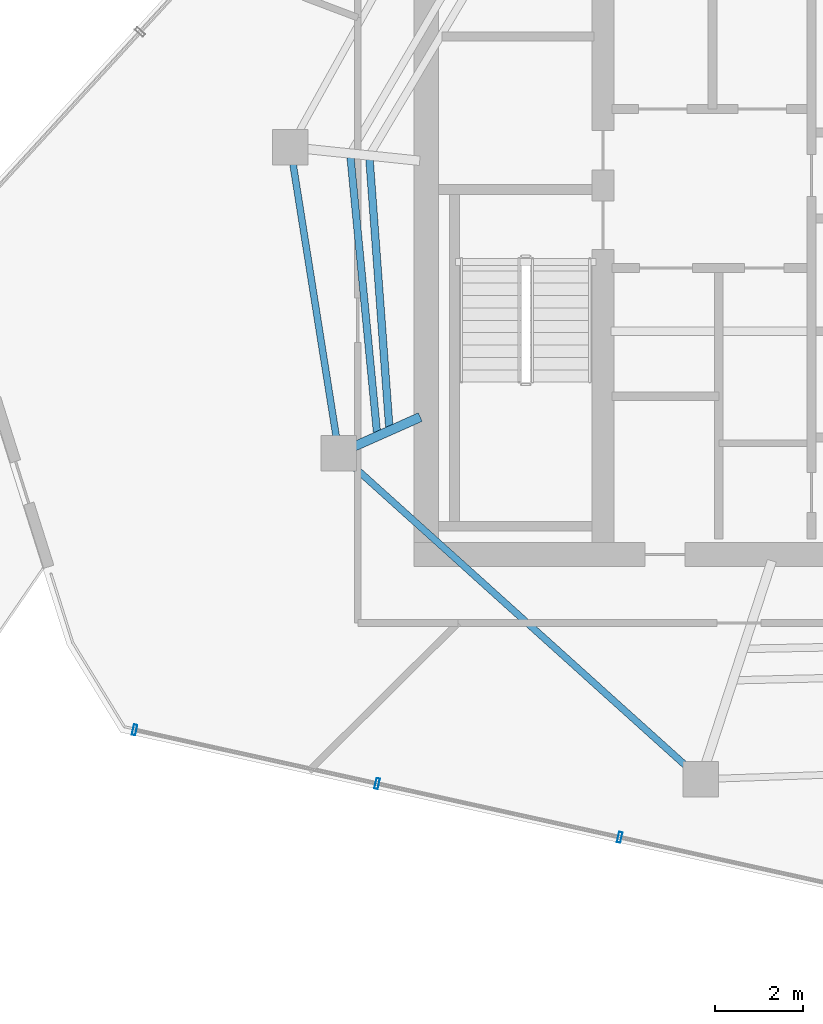
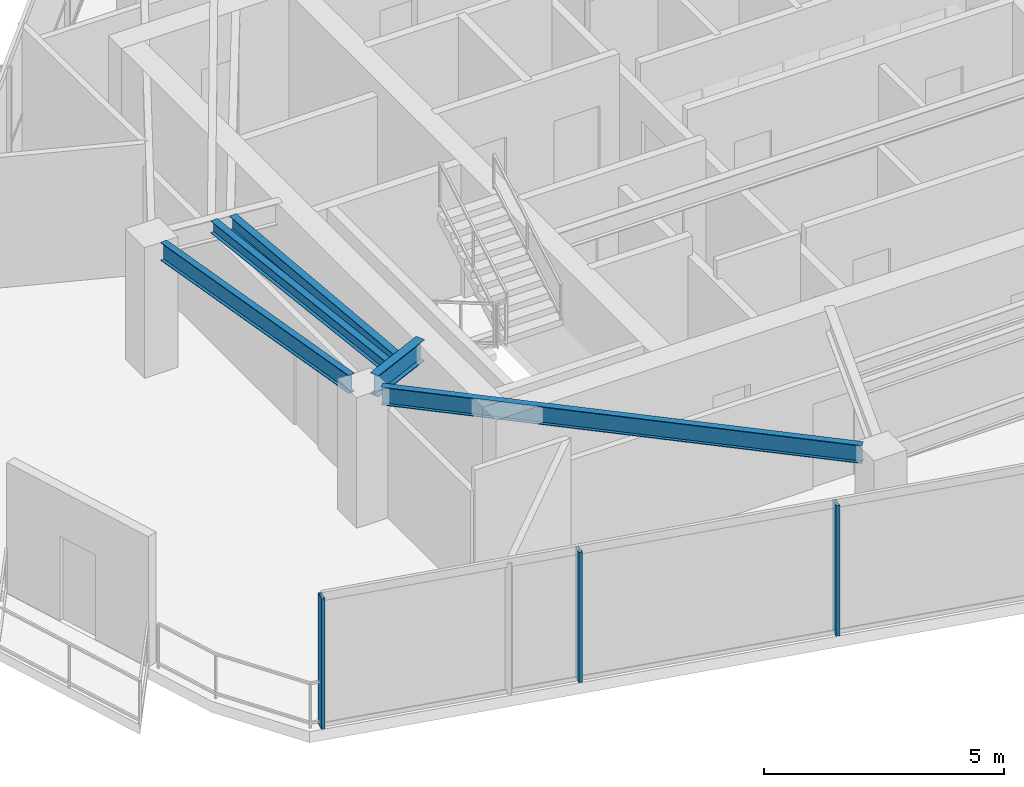
# One storey, part 2 of 18: 5 beams, 3 members, 1 element without a shape of its own.
"""IFC4 building model written with IfcOpenShell, lengths in metres."""

from ifc_helpers import new_model, si_unit, direction, frame, origin, origin_2d, place, context, subcontext, project, spatial, hollow_rectangle, i_section, extrude, material, layer, layer_set, material_profile, profile_set, type_object, element, aggregate, save


model = new_model("IFC4")

# Units and contexts
model_context = context("Model", 3, precision=1e-05, world=origin(), true_north=direction((0.0, 1.0)))
body_context = subcontext(model_context, "Body", "Model", "MODEL_VIEW")
ifc_project = project(units=[si_unit("LENGTHUNIT", "METRE"), si_unit("AREAUNIT", "SQUARE_METRE"), si_unit("VOLUMEUNIT", "CUBIC_METRE"), si_unit("PLANEANGLEUNIT", "RADIAN"), si_unit("MASSUNIT", "GRAM", prefix="KILO")], contexts=[model_context])

# Site, building, storey
site_placement = place(None, origin())
site = spatial("IfcSite", under=ifc_project, at=site_placement, CompositionType="ELEMENT")
building_placement = place(site_placement, origin())
building = spatial("IfcBuilding", under=site, at=building_placement, Name="Qarnah Convention Tower", CompositionType="ELEMENT")
storey_placement = place(building_placement, frame((0.0, 0.0, 246.300048828125)))
storey = spatial("IfcBuildingStorey", under=building, at=storey_placement, Name="L66", CompositionType="ELEMENT", Elevation=246.300048828125)

# Beams
ifc_material_1 = material(Name="Structural steel S355JR", Category="steel")
ifc_material_profile_1 = material_profile(ifc_material_1, i_section(OverallWidth=0.166015625, OverallDepth=0.31201171875, WebThickness=0.007080078125, FlangeThickness=0.010986328125, at=origin_2d()), Name="W310X45")
ifc_profile_set_1 = profile_set([ifc_material_profile_1], Name="Structural steel S355JR")
beam_type_1 = type_object("IfcBeamType", Name="BM-JST-W310", PredefinedType="JOIST", material=ifc_profile_set_1)
beam_1_placement = place(storey_placement, frame((25.0859375, 27.583984375, 3.1640625), z_axis=(0.095613342709, -0.995418549504, 0.0), x_axis=(0.995418549504, 0.095613342709, 0.0)))
element("IfcBeam", 1, at=beam_1_placement, inside=storey, type_object=beam_type_1, Name="L66 joist BM-L66-SJST-05", PredefinedType="JOIST", context=body_context, shape_type="SweptSolid", body=[
    extrude(i_section(OverallWidth=0.166015625, OverallDepth=0.31201171875, WebThickness=0.007080078125, FlangeThickness=0.010986328125, at=origin_2d()), origin(), (0.0, 0.0, 1.0), 6.24560546875),
])
ifc_material_profile_2 = material_profile(ifc_material_1, i_section(OverallWidth=0.172119140625, OverallDepth=0.35595703125, WebThickness=0.007080078125, FlangeThickness=0.011962890625, at=origin_2d()), Name="W360X51")
ifc_profile_set_2 = profile_set([ifc_material_profile_2], Name="Structural steel S355JR")
beam_type_2 = type_object("IfcBeamType", Name="BM-JST-W360", PredefinedType="JOIST", material=ifc_profile_set_2)
beam_2_placement = place(storey_placement, frame((25.514892578125, 27.5390625, 3.141845703125), z_axis=(0.073698218425, -0.997280588702, 0.0), x_axis=(0.997280588702, 0.073698218425, 0.0)))
element("IfcBeam", 2, at=beam_2_placement, inside=storey, type_object=beam_type_2, Name="L66 joist BM-L66-IJST-05", PredefinedType="JOIST", context=body_context, shape_type="SweptSolid", body=[
    extrude(i_section(OverallWidth=0.172119140625, OverallDepth=0.35595703125, WebThickness=0.007080078125, FlangeThickness=0.011962890625, at=origin_2d()), origin(), (0.0, 0.0, 1.0), 6.065673828125),
])
ifc_material_profile_3 = material_profile(ifc_material_1, i_section(OverallWidth=0.2119140625, OverallDepth=0.5400390625, WebThickness=0.011962890625, FlangeThickness=0.01904296875, at=origin_2d()), Name="W530X109")
ifc_profile_set_3 = profile_set([ifc_material_profile_3], Name="Structural steel S355JR")
beam_type_3 = type_object("IfcBeamType", Name="BM-RAD-W530A", PredefinedType="BEAM", material=ifc_profile_set_3)
beam_3_placement = place(storey_placement, frame((26.6630859375, 21.708984375, 3.050048828125), z_axis=(-0.913688456795, -0.406415309652, 0.0), x_axis=(0.406415309652, -0.913688456795, 0.0)))
element("IfcBeam", 3, at=beam_3_placement, inside=storey, type_object=beam_type_3, Name="L66 beam BM-L66-RAD-06", PredefinedType="BEAM", context=body_context, shape_type="SweptSolid", body=[
    extrude(i_section(OverallWidth=0.2119140625, OverallDepth=0.5400390625, WebThickness=0.011962890625, FlangeThickness=0.01904296875, at=origin_2d()), origin(), (0.0, 0.0, 1.0), 1.636474609375),
])
ifc_material_profile_4 = material_profile(ifc_material_1, i_section(OverallWidth=0.154052734375, OverallDepth=0.4599609375, WebThickness=0.009033203125, FlangeThickness=0.014892578125, at=origin_2d()), Name="W460X68")
ifc_profile_set_4 = profile_set([ifc_material_profile_4], Name="Structural steel S355JR")
beam_type_4 = type_object("IfcBeamType", Name="BM-SPN-W460B", PredefinedType="SPANDREL", material=ifc_profile_set_4)
beam_4_placement = place(storey_placement, frame((23.784912109375, 27.430908203125, 3.08984375), z_axis=(0.156423110156, -0.987690138965, 0.0), x_axis=(0.987690138965, 0.156423110156, 0.0)))
element("IfcBeam", 4, at=beam_4_placement, inside=storey, type_object=beam_type_4, Name="L66 spandrel BM-L66-SPN-05", PredefinedType="SPANDREL", context=body_context, shape_type="SweptSolid", body=[
    extrude(i_section(OverallWidth=0.154052734375, OverallDepth=0.4599609375, WebThickness=0.009033203125, FlangeThickness=0.014892578125, at=origin_2d()), origin(), (0.0, 0.0, 1.0), 6.233642578125),
])
beam_5_placement = place(storey_placement, frame((25.111083984375, 20.6279296875, 3.08984375), z_axis=(0.743130570512, -0.669146437762, 0.0), x_axis=(0.669146437762, 0.743130570512, 0.0)))
element("IfcBeam", 5, at=beam_5_placement, inside=storey, type_object=beam_type_4, Name="L66 spandrel BM-L66-SPN-06", PredefinedType="SPANDREL", context=body_context, shape_type="SweptSolid", body=[
    extrude(i_section(OverallWidth=0.154052734375, OverallDepth=0.4599609375, WebThickness=0.009033203125, FlangeThickness=0.014892578125, at=origin_2d()), origin(), (0.0, 0.0, 1.0), 10.242919921875),
])

# Curtain wall, members
ifc_material_2 = material(Name="Tempered Low-E dark glass", Category="glass")
ifc_layer = layer(ifc_material_2, 0.176025390625)
ifc_layer_set = layer_set([ifc_layer], Name="Tempered Low-E dark glass")
curtain_wall_type = type_object("IfcCurtainWallType", Name="CWS-05", PredefinedType="NOTDEFINED", material=ifc_layer_set)
curtain_wall_placement = place(storey_placement, origin())
curtain_wall = element("IfcCurtainWall", 6, at=curtain_wall_placement, inside=storey, type_object=curtain_wall_type, Name="L66 unitised curtain wall CW-L66-F3", PredefinedType="NOTDEFINED")
ifc_material_3 = material(Name="Black anodised aluminium", Category="aluminium")
ifc_material_profile_5 = material_profile(ifc_material_3, hollow_rectangle(XDim=0.080078125, YDim=0.239990234375, WallThickness=0.0048828125, at=origin_2d()), Name="MUL-80X240")
ifc_profile_set_5 = profile_set([ifc_material_profile_5], Name="Black anodised aluminium")
member_type = type_object("IfcMemberType", Name="MUL-T5", PredefinedType="MULLION", material=ifc_profile_set_5)
member_1_placement = place(storey_placement, frame((31.177490234375, 12.198974609375, 0.0), z_axis=(0.0, 0.0, 1.0), x_axis=(-0.97637333984, 0.216090493197, 0.0)))
member_1 = element("IfcMember", 7, at=member_1_placement, type_object=member_type, Name="CW-L66-F3 mullion 4", PredefinedType="MULLION", context=body_context, shape_type="SweptSolid", body=[
    extrude(hollow_rectangle(XDim=0.080078125, YDim=0.239990234375, WallThickness=0.0048828125, at=origin_2d()), origin(), (0.0, 0.0, 1.0), 3.320068359375),
])
member_2_placement = place(storey_placement, frame((25.687744140625, 13.4140625, 0.0), z_axis=(0.0, 0.0, 1.0), x_axis=(-0.97637333984, 0.216090493197, 0.0)))
member_2 = element("IfcMember", 8, at=member_2_placement, type_object=member_type, Name="CW-L66-F3 mullion 5", PredefinedType="MULLION", context=body_context, shape_type="SweptSolid", body=[
    extrude(hollow_rectangle(XDim=0.080078125, YDim=0.239990234375, WallThickness=0.0048828125, at=origin_2d()), origin(), (0.0, 0.0, 1.0), 3.320068359375),
])
member_3_placement = place(storey_placement, frame((20.197998046875, 14.62890625, 0.0), z_axis=(0.0, 0.0, 1.0), x_axis=(-0.97637333984, 0.216090493197, 0.0)))
member_3 = element("IfcMember", 9, at=member_3_placement, type_object=member_type, Name="CW-L66-F3 mullion 6", PredefinedType="MULLION", context=body_context, shape_type="SweptSolid", body=[
    extrude(hollow_rectangle(XDim=0.080078125, YDim=0.239990234375, WallThickness=0.0048828125, at=origin_2d()), origin(), (0.0, 0.0, 1.0), 3.320068359375),
])
aggregate(curtain_wall, [member_1, member_2, member_3])

save(model, "model.ifc")
